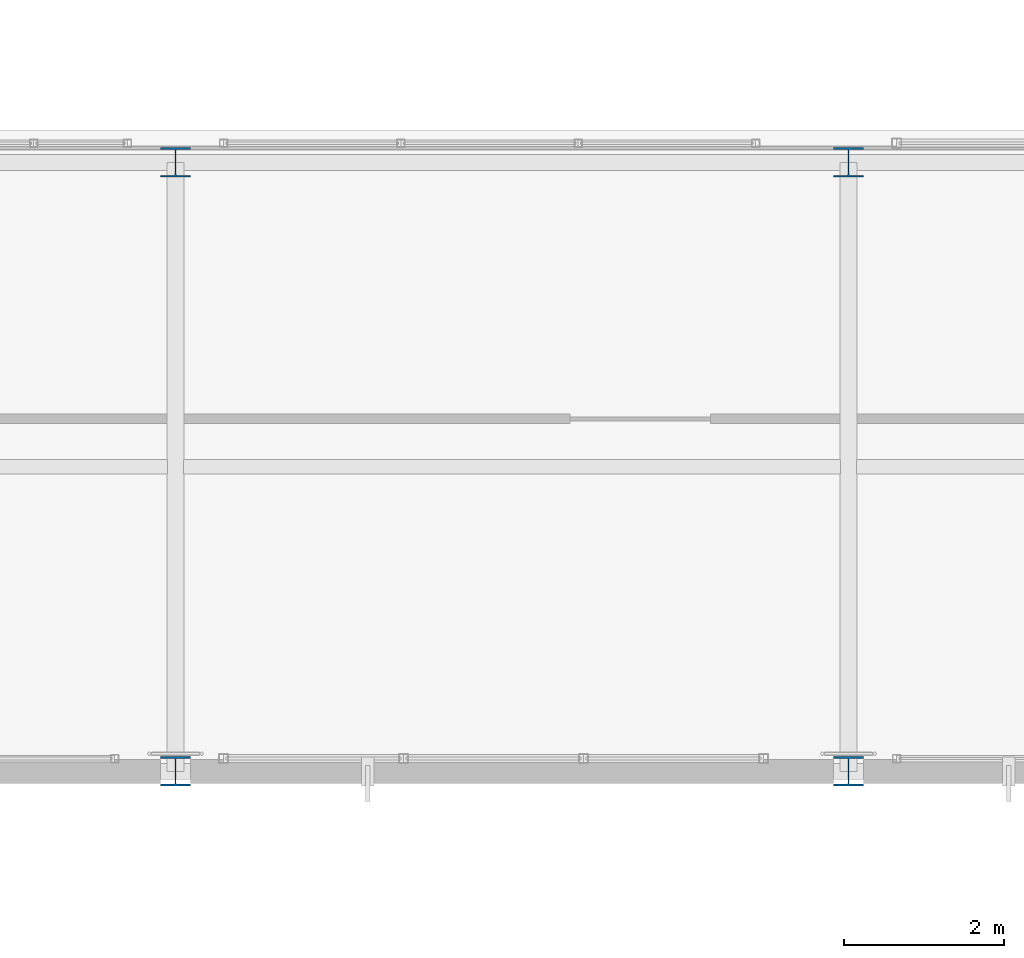
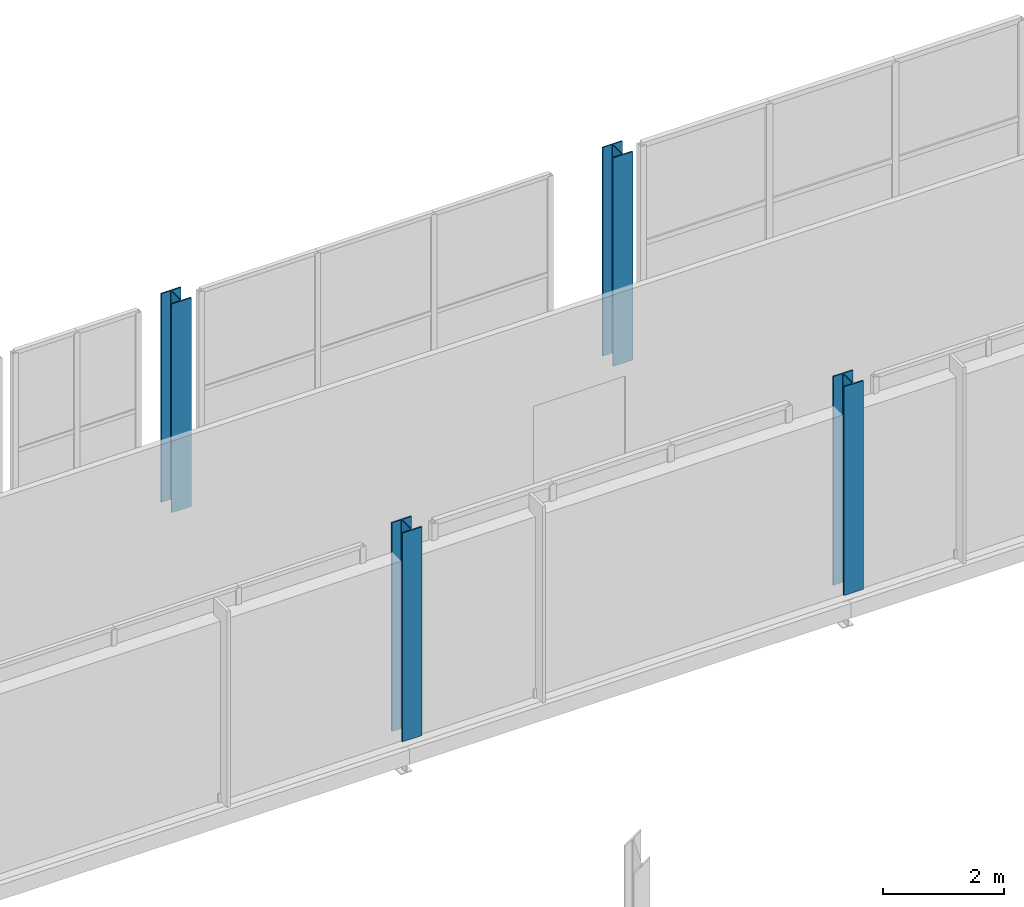
# One storey, part 7 of 217: 4 columns.
"""IFC4 building model written with IfcOpenShell, lengths in metres."""

from ifc_helpers import new_model, si_unit, direction, frame, origin, origin_2d, place, context, subcontext, project, spatial, i_section, extrude, material, material_profile, profile_set, type_object, element, save


model = new_model("IFC4")

# Units and contexts
model_context = context("Model", 3, precision=1e-05, world=origin(), true_north=direction((0.0, 1.0)))
body_context = subcontext(model_context, "Body", "Model", "MODEL_VIEW")
ifc_project = project(units=[si_unit("LENGTHUNIT", "METRE"), si_unit("AREAUNIT", "SQUARE_METRE"), si_unit("VOLUMEUNIT", "CUBIC_METRE"), si_unit("PLANEANGLEUNIT", "RADIAN"), si_unit("MASSUNIT", "GRAM", prefix="KILO")], contexts=[model_context])

# Site, building, storey
site_placement = place(None, origin())
site = spatial("IfcSite", under=ifc_project, at=site_placement, CompositionType="ELEMENT")
building_placement = place(site_placement, origin())
building = spatial("IfcBuilding", under=site, at=building_placement, Name="Zuvorla Pavilion Media Centre", CompositionType="ELEMENT")
storey_placement = place(building_placement, frame((0.0, 0.0, 9.60009765625)))
storey = spatial("IfcBuildingStorey", under=building, at=storey_placement, Name="L02", CompositionType="ELEMENT", Elevation=9.60009765625)

# Columns
ifc_material = material(Name="Steel S355", Category="steel")
ifc_material_profile = material_profile(ifc_material, i_section(OverallWidth=0.37255859375, OverallDepth=0.3681640625, WebThickness=0.014404296875, FlangeThickness=0.023681640625, FilletRadius=0.01513671875, at=origin_2d()), Name="UC 356x368x177")
ifc_profile_set = profile_set([ifc_material_profile], Name="Steel S355")
column_type = type_object("IfcColumnType", Name="COL-UC356", PredefinedType="COLUMN", material=ifc_profile_set)
for number, where, z_axis, x_axis, name in (
    (1, (125.60009765625, 44.0, 0.0), (0.0, 0.0, 1.0), (1.0, 0.0, 0.0), "L02 column C09 551"),
    (2, (134.0, 44.0, 0.0), (0.0, 0.0, 1.0), (1.0, 0.0, 0.0), "L02 column C09 556"),
    (3, (125.60009765625, 51.60009765625, 0.0), (0.0, 0.0, 1.0), (1.0, 0.0, 0.0), "L02 column C09 641"),
    (4, (134.0, 51.60009765625, 0.0), (0.0, 0.0, 1.0), (1.0, 0.0, 0.0), "L02 column C09 646"),
):
    element("IfcColumn", number, at=place(storey_placement, frame(where, z_axis=z_axis, x_axis=x_axis)), inside=storey, type_object=column_type, Name=name, PredefinedType="COLUMN", context=body_context, shape_type="SweptSolid", body=[
        extrude(i_section(OverallWidth=0.37255859375, OverallDepth=0.3681640625, WebThickness=0.014404296875, FlangeThickness=0.023681640625, FilletRadius=0.01513671875, at=origin_2d()), origin(), (0.0, 0.0, 1.0), 4.199951171875),
    ])

save(model, "model.ifc")
